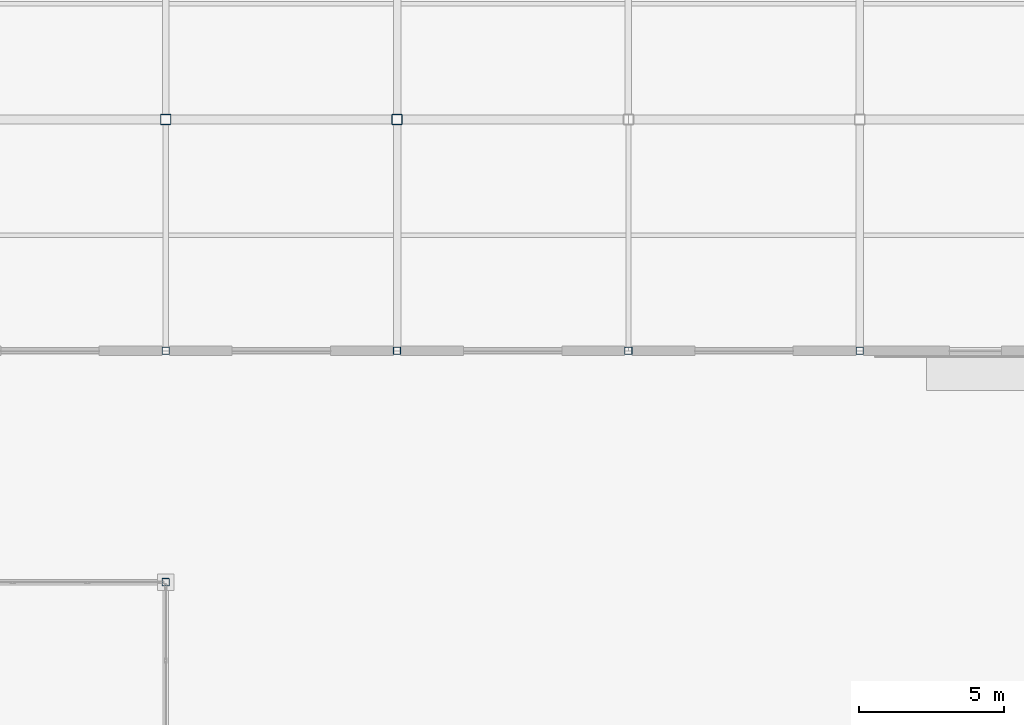
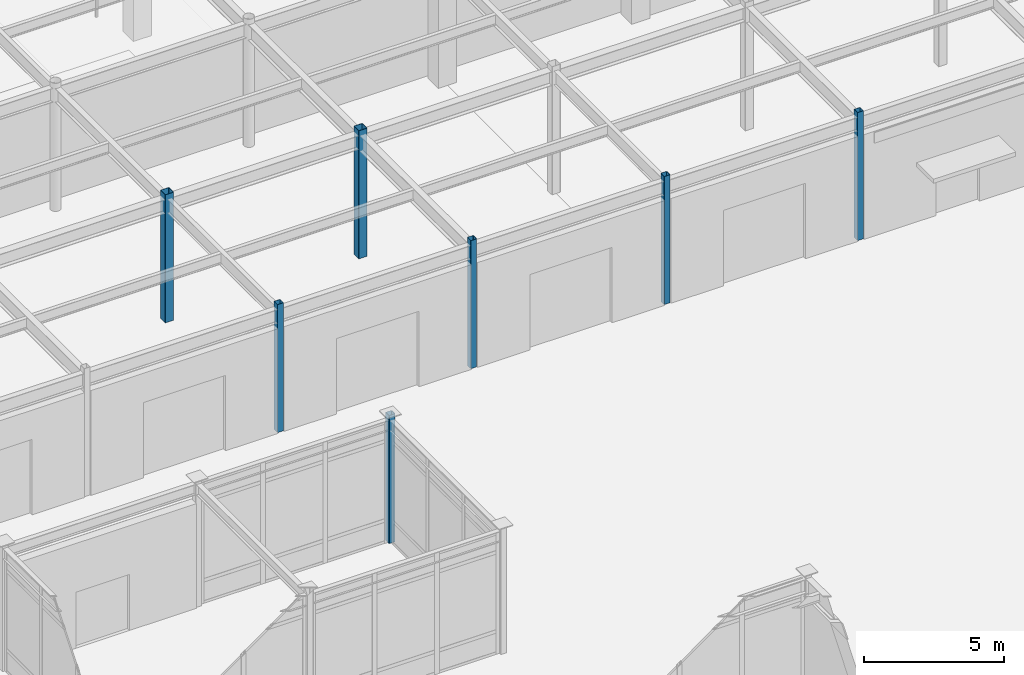
# One storey, part 28 of 128: 7 columns.
"""IFC4 building model written with IfcOpenShell, lengths in metres."""

import ifcopenshell
import ifcopenshell.guid

model = None  # the IFC model being written
_history = None  # IfcOwnerHistory: only IFC2X3 demands one
_inside = {}  # id of a spatial element -> (the spatial element, [elements in it])
_under = {}  # id of a project, library or spatial element -> (it, [spatial elements below it])
_declared = {}  # id of a project -> (the project, [libraries it declares])
_typed = {}  # id of a type object -> (the type object, [elements of that type])
_made_of = {}  # id of a material, layer set ... -> (it, [elements and type objects made of it])


def new_model(schema):
    """Start an empty IFC model of exactly this schema.

    Asked for "IFC4X3", IfcOpenShell would pick the latest addendum, in which some entities
    have other attributes; the version numbers below select the first issue.
    IFC2X3 requires an IfcOwnerHistory on every rooted entity: one is made here for all.
    """
    global model, _history
    if schema == "IFC4X3":
        model = ifcopenshell.file(schema_version=(4, 3, 0, 0))
    else:
        model = ifcopenshell.file(schema=schema)
    _inside.clear()
    _under.clear()
    _declared.clear()
    _typed.clear()
    _made_of.clear()
    _history = None
    if model.schema == "IFC2X3":
        org = make("IfcOrganization", Name="unknown")
        user = make(
            "IfcPersonAndOrganization",
            ThePerson=make("IfcPerson", FamilyName="unknown"),
            TheOrganization=org,
        )
        app = make(
            "IfcApplication",
            ApplicationDeveloper=org,
            Version="unknown",
            ApplicationFullName="unknown",
            ApplicationIdentifier="unknown",
        )
        _history = make(
            "IfcOwnerHistory",
            OwningUser=user,
            OwningApplication=app,
            ChangeAction="ADDED",
            CreationDate=0,
        )
    return model


def make(cls, **values):
    """One entity of the class cls with the attributes given. An attribute that is None is left unset."""
    return model.create_entity(
        cls, **{name: value for name, value in values.items() if value is not None}
    )


def rooted(cls, **values):
    """An entity with a GlobalId (a new one), such as an element, a storey or a relation."""
    return make(cls, GlobalId=ifcopenshell.guid.new(), OwnerHistory=_history, **values)


def si_unit(unit_type, name, prefix=None):
    """IfcSIUnit, for example si_unit("LENGTHUNIT", "METRE", prefix="MILLI")."""
    return make("IfcSIUnit", UnitType=unit_type, Prefix=prefix, Name=name)


def assignment(units):
    """IfcUnitAssignment: the units of a project."""
    return None if units is None else make("IfcUnitAssignment", Units=units)


def point(xyz):
    """IfcCartesianPoint."""
    return None if xyz is None else make("IfcCartesianPoint", Coordinates=xyz)


def direction(xyz):
    """IfcDirection."""
    return None if xyz is None else make("IfcDirection", DirectionRatios=xyz)


def frame(location, z_axis=None, x_axis=None):
    """IfcAxis2Placement3D, a coordinate frame: its origin and axes. An axis left out is left unset."""
    return make(
        "IfcAxis2Placement3D",
        Location=point(location),
        Axis=direction(z_axis),
        RefDirection=direction(x_axis),
    )


def frame_2d(location, x_axis=None):
    """IfcAxis2Placement2D, a coordinate frame in the plane: its origin and x axis."""
    return make(
        "IfcAxis2Placement2D", Location=point(location), RefDirection=direction(x_axis)
    )


def origin():
    """The frame at (0, 0, 0) with its axes left unset."""
    return frame((0.0, 0.0, 0.0))


def origin_2d():
    """The frame at (0, 0) in the plane with its x axis left unset."""
    return frame_2d((0.0, 0.0))


def place(relative_to, where):
    """IfcLocalPlacement: puts the frame where relative to a parent placement (None: the world)."""
    return make(
        "IfcLocalPlacement", PlacementRelTo=relative_to, RelativePlacement=where
    )


def context(
    kind, dimensions, precision=None, world=None, true_north=None, identifier=None
):
    """IfcGeometricRepresentationContext, for example the 3D "Model" context."""
    return make(
        "IfcGeometricRepresentationContext",
        ContextIdentifier=identifier,
        ContextType=kind,
        CoordinateSpaceDimension=dimensions,
        Precision=precision,
        WorldCoordinateSystem=world,
        TrueNorth=true_north,
    )


def subcontext(parent, identifier, kind, view, scale=None):
    """IfcGeometricRepresentationSubContext, for example "Body" below "Model"."""
    return make(
        "IfcGeometricRepresentationSubContext",
        ContextIdentifier=identifier,
        ContextType=kind,
        ParentContext=parent,
        TargetScale=scale,
        TargetView=view,
    )


def project(units=None, contexts=None):
    """IfcProject with its units and contexts."""
    return rooted(
        "IfcProject",
        Name="project",
        RepresentationContexts=contexts,
        UnitsInContext=assignment(units),
    )


def spatial(cls, under=None, at=None, **own):
    """A site, building, storey or space (cls), placed at a placement, below another one or the project."""
    s = rooted(cls, ObjectPlacement=at, **own)
    if under is not None:
        _under.setdefault(under.id(), (under, []))[1].append(s)
    return s


def profile(cls, at=None, kind="AREA", **sizes):
    """A parametric profile (cls). Its sizes go by their IFC names, for example OverallWidth=200.0."""
    return make(cls, ProfileType=kind, Position=at, **sizes)


def hollow_rectangle(**sizes):
    """IfcRectangleHollowProfileDef."""
    return profile("IfcRectangleHollowProfileDef", **sizes)


def extrude(swept, where, along, depth):
    """IfcExtrudedAreaSolid: the profile swept, set in the frame where, extruded along a direction by depth."""
    return make(
        "IfcExtrudedAreaSolid",
        SweptArea=swept,
        Position=where,
        ExtrudedDirection=direction(along),
        Depth=depth,
    )


def shape(context_of_items, identifier, shape_type, items):
    """IfcShapeRepresentation: the items that make up one representation, for example the "Body"."""
    return make(
        "IfcShapeRepresentation",
        ContextOfItems=context_of_items,
        RepresentationIdentifier=identifier,
        RepresentationType=shape_type,
        Items=items,
    )


def material(Name=None, Category=None):
    """IfcMaterial."""
    return make("IfcMaterial", Name=Name, Category=Category)


def material_profile(
    of_material, cross_section, Name=None, Category=None, Priority=None
):
    """IfcMaterialProfile: a cross section and its material."""
    return make(
        "IfcMaterialProfile",
        Name=Name,
        Material=of_material,
        Profile=cross_section,
        Priority=Priority,
        Category=Category,
    )


def profile_set(profiles, Name=None, composite=None):
    """IfcMaterialProfileSet."""
    return make(
        "IfcMaterialProfileSet",
        Name=Name,
        MaterialProfiles=profiles,
        CompositeProfile=composite,
    )


def made_of(thing, what):
    """Note that an element or type object is made of a material, layer set ...; save() writes the relation."""
    if what is not None:
        _made_of.setdefault(what.id(), (what, []))[1].append(thing)
    return thing


def type_object(cls, material=None, **own):
    """A type object (cls), such as IfcWallType, which elements share."""
    return made_of(rooted(cls, **own), material)


def element(
    cls,
    number,
    at=None,
    inside=None,
    cuts=None,
    type_object=None,
    material=None,
    context=None,
    identifier="Body",
    shape_type=None,
    held_by="IfcProductDefinitionShape",
    body=None,
    shapes=None,
    **own,
):
    """One element of the class cls, such as IfcWall. Its Tag is "e" and its number.

    at: its placement. inside: the storey or other place that contains it. cuts: it is an
    opening in that element (IfcRelVoidsElement). A single representation is given by context,
    identifier, shape_type and body (its items); several are given by shapes. held_by: the class
    of the entity that holds the representations. save() writes the other relations.
    """
    e = rooted(cls, Tag="e%d" % number, ObjectPlacement=at, **own)
    if body is not None:
        shapes = [shape(context, identifier, shape_type, body)]
    if shapes is not None:
        e.Representation = make(held_by, Representations=shapes)
    if inside is not None:
        _inside.setdefault(inside.id(), (inside, []))[1].append(e)
    if cuts is not None:
        rooted(
            "IfcRelVoidsElement", RelatingBuildingElement=cuts, RelatedOpeningElement=e
        )
    if type_object is not None:
        _typed.setdefault(type_object.id(), (type_object, []))[1].append(e)
    return made_of(e, material)


def aggregate(whole, parts):
    """IfcRelAggregates: a whole, such as a stair, and the parts it consists of."""
    return rooted("IfcRelAggregates", RelatingObject=whole, RelatedObjects=parts)


def save(model, path):
    """Write the relations noted so far, then the file.

    IfcRelAggregates (storeys below a building ...), IfcRelContainedInSpatialStructure (elements
    in a storey), IfcRelDefinesByType, IfcRelAssociatesMaterial and IfcRelDeclares: one each for
    every whole, place, type object, material and project.
    """
    for whole, parts in _under.values():
        aggregate(whole, parts)
    for where, things in _inside.values():
        rooted(
            "IfcRelContainedInSpatialStructure",
            RelatedElements=things,
            RelatingStructure=where,
        )
    for kind, things in _typed.values():
        rooted("IfcRelDefinesByType", RelatedObjects=things, RelatingType=kind)
    for what, things in _made_of.values():
        rooted("IfcRelAssociatesMaterial", RelatedObjects=things, RelatingMaterial=what)
    for by, libraries in _declared.values():
        rooted("IfcRelDeclares", RelatingContext=by, RelatedDefinitions=libraries)
    model.write(path)


model = new_model("IFC4")

# Units and contexts
model_context = context("Model", 3, precision=1e-05, world=origin(), true_north=direction((0.0, 1.0)))
body_context = subcontext(model_context, "Body", "Model", "MODEL_VIEW")
ifc_project = project(units=[si_unit("LENGTHUNIT", "METRE"), si_unit("AREAUNIT", "SQUARE_METRE"), si_unit("VOLUMEUNIT", "CUBIC_METRE"), si_unit("PLANEANGLEUNIT", "RADIAN"), si_unit("MASSUNIT", "GRAM", prefix="KILO")], contexts=[model_context])

# Site, building, storey
site_placement = place(None, origin())
site = spatial("IfcSite", under=ifc_project, at=site_placement, CompositionType="ELEMENT")
building_placement = place(site_placement, origin())
building = spatial("IfcBuilding", under=site, at=building_placement, Name="Solmirada Galleria", CompositionType="ELEMENT")
storey_placement = place(building_placement, origin())
storey = spatial("IfcBuildingStorey", under=building, at=storey_placement, Name="L00", CompositionType="ELEMENT", Elevation=0.0)

# Columns
ifc_material = material(Name="Steel S355 / ASTM A500 Grade C", Category="steel")
ifc_material_profile_1 = material_profile(ifc_material, hollow_rectangle(XDim=0.25390625, YDim=0.25390625, WallThickness=0.0087890625, InnerFilletRadius=0.0087890625, OuterFilletRadius=0.017822265625, at=origin_2d()), Name="HSS10X10X3/8")
ifc_profile_set_1 = profile_set([ifc_material_profile_1], Name="Steel S355 / ASTM A500 Grade C")
column_type_1 = type_object("IfcColumnType", Name="COL-HSS10", PredefinedType="COLUMN", material=ifc_profile_set_1)
for number, where, z_axis, x_axis, name in (
    (1, (136.0, 64.0, 0.0), (0.0, 0.0, 1.0), (1.0, 0.0, 0.0), "Structural column L00-1151"),
    (2, (136.0, 72.0, 0.0), (0.0, 0.0, 1.0), (1.0, 0.0, 0.0), "Structural column L00-1153"),
    (3, (144.0, 72.0, 0.0), (0.0, 0.0, 1.0), (1.0, 0.0, 0.0), "Structural column L00-1239"),
    (4, (152.0, 72.0, 0.0), (0.0, 0.0, 1.0), (1.0, 0.0, 0.0), "Structural column L00-1312"),
    (5, (160.0, 72.0, 0.0), (0.0, 0.0, 1.0), (1.0, 0.0, 0.0), "Structural column L00-1385"),
):
    element("IfcColumn", number, at=place(storey_placement, frame(where, z_axis=z_axis, x_axis=x_axis)), inside=storey, type_object=column_type_1, Name=name, PredefinedType="COLUMN", context=body_context, shape_type="SweptSolid", body=[
        extrude(hollow_rectangle(XDim=0.25390625, YDim=0.25390625, WallThickness=0.0087890625, InnerFilletRadius=0.0087890625, OuterFilletRadius=0.017822265625, at=origin_2d()), origin(), (0.0, 0.0, 1.0), 5.60009765625),
    ])
ifc_material_profile_2 = material_profile(ifc_material, hollow_rectangle(XDim=0.35595703125, YDim=0.35595703125, WallThickness=0.01171875, InnerFilletRadius=0.01171875, OuterFilletRadius=0.023681640625, at=origin_2d()), Name="HSS14X14X1/2")
ifc_profile_set_2 = profile_set([ifc_material_profile_2], Name="Steel S355 / ASTM A500 Grade C")
column_type_2 = type_object("IfcColumnType", Name="COL-HSS14", PredefinedType="COLUMN", material=ifc_profile_set_2)
for number, where, z_axis, x_axis, name in (
    (6, (136.0, 80.0, 0.0), (0.0, 0.0, 1.0), (1.0, 0.0, 0.0), "Structural column L00-1156"),
    (7, (144.0, 80.0, 0.0), (0.0, 0.0, 1.0), (1.0, 0.0, 0.0), "Structural column L00-1242"),
):
    element("IfcColumn", number, at=place(storey_placement, frame(where, z_axis=z_axis, x_axis=x_axis)), inside=storey, type_object=column_type_2, Name=name, PredefinedType="COLUMN", context=body_context, shape_type="SweptSolid", body=[
        extrude(hollow_rectangle(XDim=0.35595703125, YDim=0.35595703125, WallThickness=0.01171875, InnerFilletRadius=0.01171875, OuterFilletRadius=0.023681640625, at=origin_2d()), origin(), (0.0, 0.0, 1.0), 5.60009765625),
    ])

save(model, "model.ifc")
